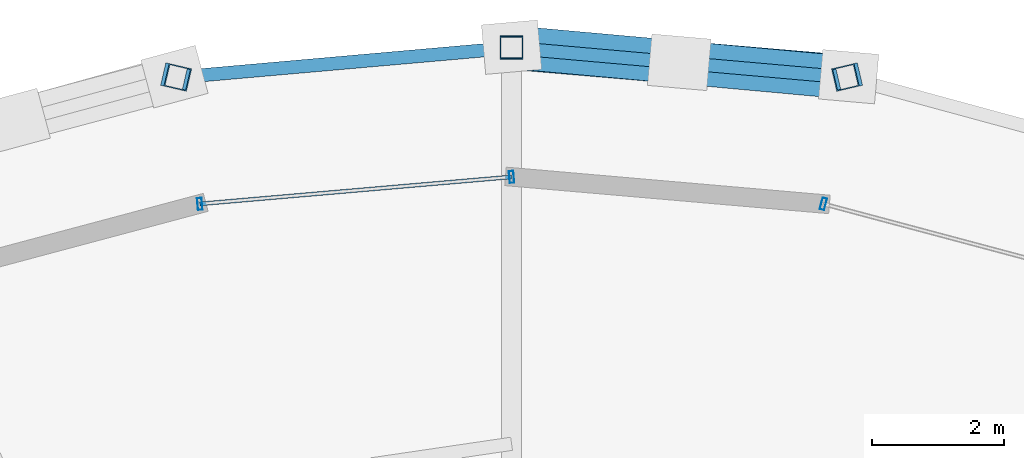
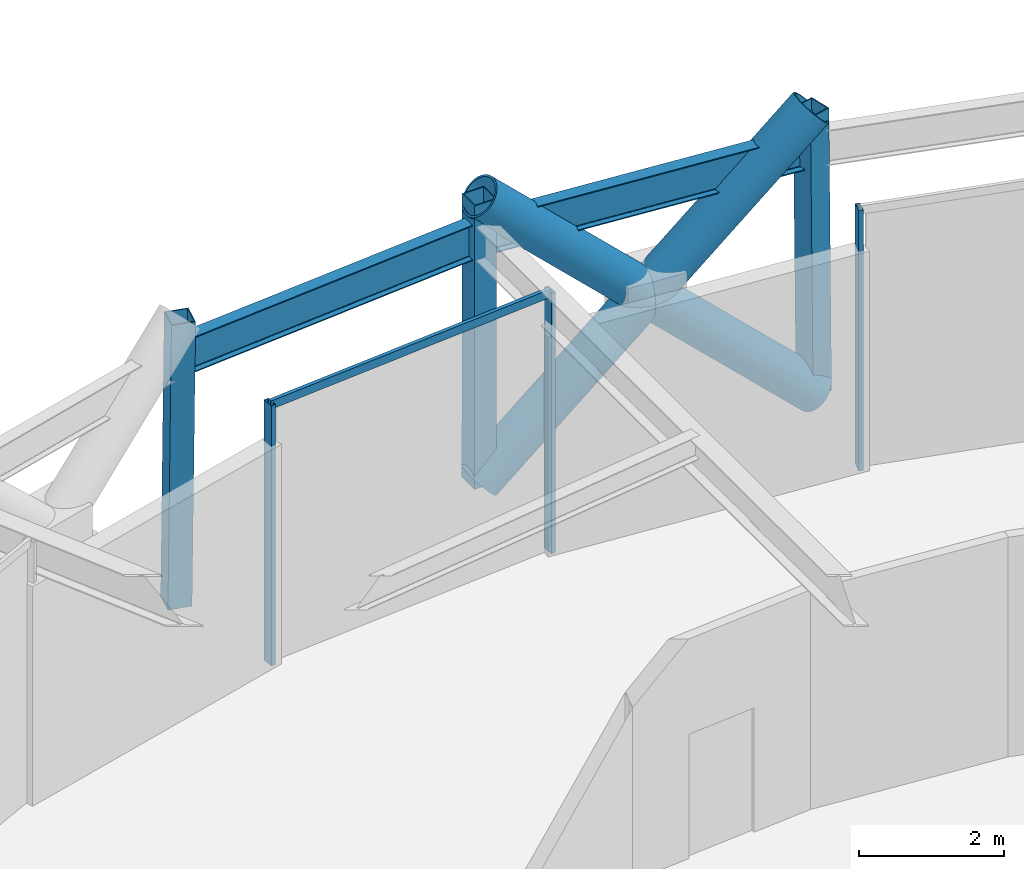
# One storey, part 19 of 29: 10 members, 2 beams, 2 elements without a shape of their own.
"""IFC4 building model written with IfcOpenShell, lengths in metres."""

from ifc_helpers import new_model, si_unit, direction, frame, origin, origin_2d, place, context, subcontext, project, spatial, hollow_rectangle, hollow_circle, i_section, extrude, material, layer, layer_set, material_profile, profile_set, type_object, element, aggregate, save


model = new_model("IFC4")

# Units and contexts
model_context = context("Model", 3, precision=1e-05, world=origin(), true_north=direction((0.0, 1.0)))
body_context = subcontext(model_context, "Body", "Model", "MODEL_VIEW")
ifc_project = project(units=[si_unit("LENGTHUNIT", "METRE"), si_unit("AREAUNIT", "SQUARE_METRE"), si_unit("VOLUMEUNIT", "CUBIC_METRE"), si_unit("PLANEANGLEUNIT", "RADIAN"), si_unit("MASSUNIT", "GRAM", prefix="KILO")], contexts=[model_context])

# Site, building, storey
site_placement = place(None, origin())
site = spatial("IfcSite", under=ifc_project, at=site_placement, CompositionType="ELEMENT")
building_placement = place(site_placement, origin())
building = spatial("IfcBuilding", under=site, at=building_placement, Name="Veldorina Hangang Commons", CompositionType="ELEMENT")
storey_placement = place(building_placement, frame((0.0, 0.0, 203.60009765625)))
storey = spatial("IfcBuildingStorey", under=building, at=storey_placement, Name="L53", CompositionType="ELEMENT", Elevation=203.60009765625)

# Beams
ifc_material_1 = material(Name="Steel SM420-TMC", Category="steel")
ifc_material_profile_1 = material_profile(ifc_material_1, i_section(OverallWidth=0.199951171875, OverallDepth=0.60009765625, WebThickness=0.010986328125, FlangeThickness=0.01708984375, FilletRadius=0.01806640625, at=origin_2d()), Name="H-600x200x11x17")
ifc_profile_set_1 = profile_set([ifc_material_profile_1], Name="Steel SM420-TMC")
beam_type = type_object("IfcBeamType", Name="BM-RB600", PredefinedType="BEAM", material=ifc_profile_set_1)
for number, where, z_axis, x_axis, name in (
    (1, (37.0498046875, 46.746826171875, 4.139892578125), (-0.996125880523, 0.087938786397, 0.0), (-0.087938786397, -0.996125880523, 0.0), "L53 perimeter hoop ring beam 07"),
    (2, (32.0, 47.192626953125, 4.139892578125), (-0.996125880523, -0.087938786397, 0.0), (0.087938786397, -0.996125880523, 0.0), "L53 perimeter hoop ring beam 08"),
):
    element("IfcBeam", number, at=place(storey_placement, frame(where, z_axis=z_axis, x_axis=x_axis)), inside=storey, type_object=beam_type, Name=name, PredefinedType="BEAM", context=body_context, shape_type="SweptSolid", body=[
        extrude(i_section(OverallWidth=0.199951171875, OverallDepth=0.60009765625, WebThickness=0.010986328125, FlangeThickness=0.01708984375, FilletRadius=0.01806640625, at=origin_2d()), origin(), (0.0, 0.0, 1.0), 5.0693359375),
    ])

# Curtain wall, member
ifc_material_2 = material(Name="Glass Acoustic Laminated", Category="glass")
ifc_layer = layer(ifc_material_2, 0.179931640625)
ifc_layer_set = layer_set([ifc_layer], Name="Glass Acoustic Laminated")
curtain_wall_type = type_object("IfcCurtainWallType", Name="CW-SYS-SKY", PredefinedType="NOTDEFINED", material=ifc_layer_set)
curtain_wall_1_placement = place(storey_placement, origin())
curtain_wall_1 = element("IfcCurtainWall", 3, at=curtain_wall_1_placement, inside=storey, type_object=curtain_wall_type, Name="L53 unitised curtain wall CW-L53-R2", PredefinedType="NOTDEFINED")
ifc_material_3 = material(Name="Aluminium Anodized AA6063-T6", Category="aluminium")
ifc_material_profile_2 = material_profile(ifc_material_3, hollow_rectangle(XDim=0.070068359375, YDim=0.179931640625, WallThickness=0.00390625, at=origin_2d()), Name="ALU-RHS-180x70x4")
ifc_profile_set_2 = profile_set([ifc_material_profile_2], Name="Aluminium Anodized AA6063-T6")
member_type_1 = type_object("IfcMemberType", Name="CW-MUL-180", PredefinedType="MULLION", material=ifc_profile_set_2)
member_1_placement = place(storey_placement, frame((36.710693359375, 44.834716796875, 0.0), z_axis=(0.0, 0.0, 1.0), x_axis=(0.966187331518, -0.257841114671, 0.0)))
member_1 = element("IfcMember", 4, at=member_1_placement, type_object=member_type_1, Name="CW-L53-R2 vertical mullion 2", PredefinedType="MULLION", context=body_context, shape_type="SweptSolid", body=[
    extrude(hollow_rectangle(XDim=0.070068359375, YDim=0.179931640625, WallThickness=0.00390625, at=origin_2d()), origin(), (0.0, 0.0, 1.0), 4.39990234375),
])
aggregate(curtain_wall_1, [member_1])

# Curtain wall, members
curtain_wall_2_placement = place(storey_placement, origin())
curtain_wall_2 = element("IfcCurtainWall", 5, at=curtain_wall_2_placement, inside=storey, type_object=curtain_wall_type, Name="L53 unitised curtain wall CW-L53-R3", PredefinedType="NOTDEFINED")
member_2_placement = place(storey_placement, frame((32.0, 45.242919921875, 0.0), z_axis=(0.0, 0.0, 1.0), x_axis=(-0.996265857184, -0.086338530275, 0.0)))
member_2 = element("IfcMember", 6, at=member_2_placement, type_object=member_type_1, Name="CW-L53-R3 vertical mullion 1", PredefinedType="MULLION", context=body_context, shape_type="SweptSolid", body=[
    extrude(hollow_rectangle(XDim=0.070068359375, YDim=0.179931640625, WallThickness=0.00390625, at=origin_2d()), origin(), (0.0, 0.0, 1.0), 4.39990234375),
])
member_3_placement = place(storey_placement, frame((27.289306640625, 44.834716796875, 0.0), z_axis=(0.0, 0.0, 1.0), x_axis=(0.996265857184, 0.086338530275, 0.0)))
member_3 = element("IfcMember", 7, at=member_3_placement, type_object=member_type_1, Name="CW-L53-R3 vertical mullion 2", PredefinedType="MULLION", context=body_context, shape_type="SweptSolid", body=[
    extrude(hollow_rectangle(XDim=0.070068359375, YDim=0.179931640625, WallThickness=0.00390625, at=origin_2d()), origin(), (0.0, 0.0, 1.0), 4.39990234375),
])
ifc_material_profile_3 = material_profile(ifc_material_3, hollow_rectangle(XDim=0.06005859375, YDim=0.139892578125, WallThickness=0.00341796875, at=origin_2d()), Name="ALU-RHS-140x60x3.5")
ifc_profile_set_3 = profile_set([ifc_material_profile_3], Name="Aluminium Anodized AA6063-T6")
member_type_2 = type_object("IfcMemberType", Name="CW-TRN-140", PredefinedType="USERDEFINED", material=ifc_profile_set_3)
member_4_placement = place(storey_placement, frame((32.0, 45.242919921875, 4.35986328125), z_axis=(-0.996266505469, -0.086331049347, 0.0), x_axis=(0.086331049347, -0.996266505469, 0.0)))
member_4 = element("IfcMember", 8, at=member_4_placement, type_object=member_type_2, Name="CW-L53-R3 facet 1 transom 1", ObjectType="TRANSOM", PredefinedType="USERDEFINED", context=body_context, shape_type="SweptSolid", body=[
    extrude(hollow_rectangle(XDim=0.06005859375, YDim=0.139892578125, WallThickness=0.00341796875, at=origin_2d()), origin(), (0.0, 0.0, 1.0), 4.728271484375),
])
aggregate(curtain_wall_2, [member_2, member_3, member_4])

# Members
ifc_material_4 = material(Name="Steel SM460-TMC", Category="steel")
ifc_material_profile_4 = material_profile(ifc_material_4, hollow_circle(Radius=0.324951171875, WallThickness=0.031982421875, at=origin_2d()), Name="CHS-650x32")
ifc_profile_set_4 = profile_set([ifc_material_profile_4], Name="Steel SM460-TMC")
member_type_3 = type_object("IfcMemberType", Name="DG-CHS650", PredefinedType="BRACE", material=ifc_profile_set_4)
member_5_placement = place(storey_placement, frame((37.093017578125, 46.757080078125, 0.0), z_axis=(-0.726350783898, 0.061872649585, 0.684533647065), x_axis=(-0.084875500207, -0.996391564328, 0.0)))
element("IfcMember", 9, at=member_5_placement, inside=storey, type_object=member_type_3, Name="L53 continuous perimeter diagrid brace 07", PredefinedType="BRACE", context=body_context, shape_type="SweptSolid", body=[
    extrude(hollow_circle(Radius=0.324951171875, WallThickness=0.031982421875, at=origin_2d()), origin(), (0.0, 0.0, 1.0), 7.01171875),
])
member_6_placement = place(storey_placement, frame((32.0, 47.202880859375, 0.0), z_axis=(0.722842725893, -0.064978539672, 0.687950712628), x_axis=(0.089532037633, 0.995983942761, 0.0)))
element("IfcMember", 10, at=member_6_placement, inside=storey, type_object=member_type_3, Name="L53 split perimeter diagrid lower brace 08", PredefinedType="BRACE", context=body_context, shape_type="SweptSolid", body=[
    extrude(hollow_circle(Radius=0.324951171875, WallThickness=0.031982421875, at=origin_2d()), origin(), (0.0, 0.0, 1.0), 3.505615234375),
])
member_7_placement = place(storey_placement, frame((34.533935546875, 46.97509765625, 2.41162109375), z_axis=(0.72274784609, -0.066177456765, 0.687936112723), x_axis=(0.091182251877, 0.995834221617, 0.0)))
element("IfcMember", 11, at=member_7_placement, inside=storey, type_object=member_type_3, Name="L53 split perimeter diagrid upper brace 08", PredefinedType="BRACE", context=body_context, shape_type="SweptSolid", body=[
    extrude(hollow_circle(Radius=0.324951171875, WallThickness=0.031982421875, at=origin_2d()), origin(), (0.0, 0.0, 1.0), 3.471435546875),
])
ifc_material_5 = material(Name="Steel SM355-TMC", Category="steel")
ifc_material_profile_5 = material_profile(ifc_material_5, hollow_rectangle(XDim=0.35009765625, YDim=0.35009765625, WallThickness=0.01611328125, at=origin_2d()), Name="SHS-350x350x16")
ifc_profile_set_5 = profile_set([ifc_material_profile_5], Name="Steel SM355-TMC")
member_type_4 = type_object("IfcMemberType", Name="STR-SHS350", PredefinedType="STRUT", material=ifc_profile_set_5)
member_8_placement = place(storey_placement, frame((37.093017578125, 46.757080078125, 0.0), z_axis=(-0.010426665586, -0.002441365601, 0.999942660545), x_axis=(0.227980273435, -0.97366575113, 0.0)))
element("IfcMember", 12, at=member_8_placement, inside=storey, type_object=member_type_4, Name="L53 perimeter ring node post 07", PredefinedType="STRUT", context=body_context, shape_type="SweptSolid", body=[
    extrude(hollow_rectangle(XDim=0.35009765625, YDim=0.35009765625, WallThickness=0.01611328125, at=origin_2d()), origin(), (0.0, 0.0, 1.0), 4.800048828125),
])
member_9_placement = place(storey_placement, frame((32.0, 47.202880859375, 0.0), z_axis=(0.0, -0.002492362554, 0.99999689406), x_axis=(1.0, 0.0, 0.0)))
element("IfcMember", 13, at=member_9_placement, inside=storey, type_object=member_type_4, Name="L53 perimeter ring node post 08", PredefinedType="STRUT", context=body_context, shape_type="SweptSolid", body=[
    extrude(hollow_rectangle(XDim=0.35009765625, YDim=0.35009765625, WallThickness=0.01611328125, at=origin_2d()), origin(), (0.0, 0.0, 1.0), 4.7998046875),
])
member_10_placement = place(storey_placement, frame((26.906982421875, 46.757080078125, 0.0), z_axis=(0.010426665586, -0.002441365601, 0.999942660545), x_axis=(0.227980273435, 0.97366575113, 0.0)))
element("IfcMember", 14, at=member_10_placement, inside=storey, type_object=member_type_4, Name="L53 perimeter ring node post 09", PredefinedType="STRUT", context=body_context, shape_type="SweptSolid", body=[
    extrude(hollow_rectangle(XDim=0.35009765625, YDim=0.35009765625, WallThickness=0.01611328125, at=origin_2d()), origin(), (0.0, 0.0, 1.0), 4.800048828125),
])

save(model, "model.ifc")
